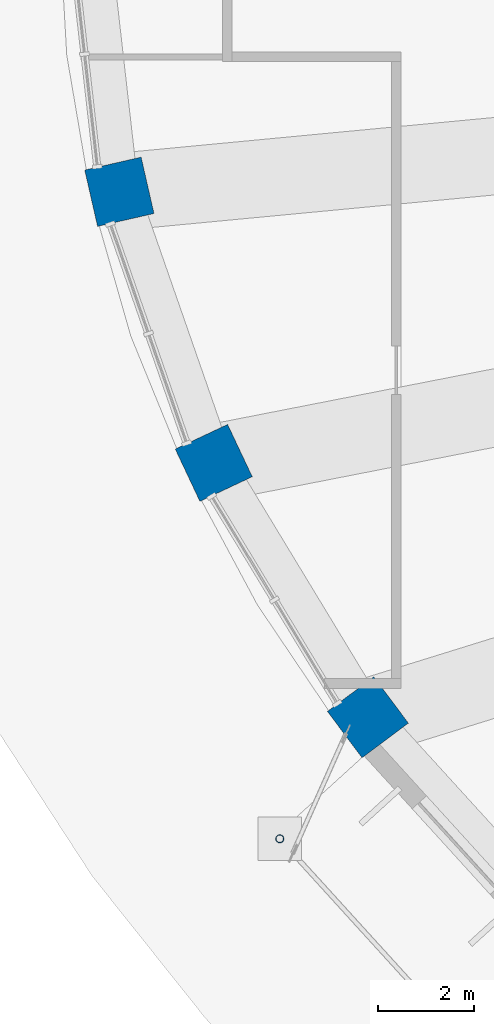
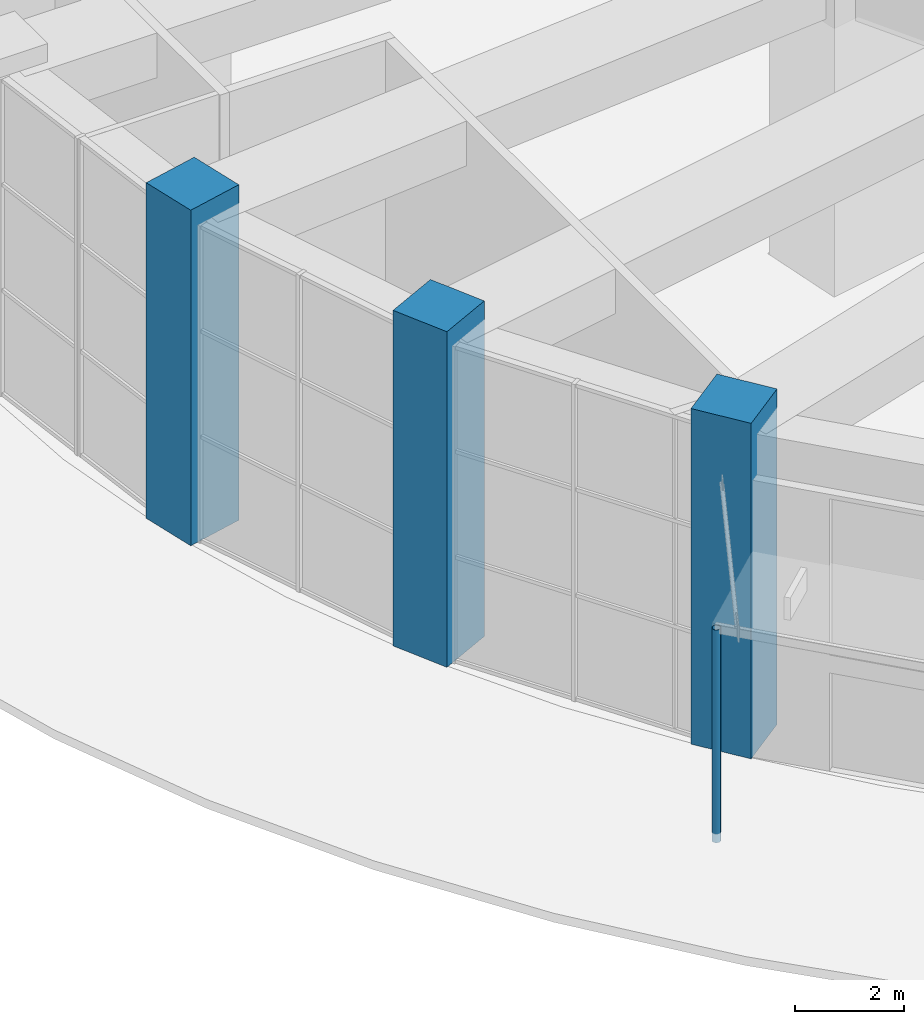
# One storey, part 4 of 60: 4 columns.
"""IFC4 building model written with IfcOpenShell, lengths in metres."""

from ifc_helpers import new_model, si_unit, direction, frame, origin, origin_2d, place, context, subcontext, project, spatial, rectangle, hollow_circle, extrude, material, material_profile, profile_set, type_object, element, save


model = new_model("IFC4")

# Units and contexts
model_context = context("Model", 3, precision=1e-05, world=origin(), true_north=direction((0.0, 1.0)))
body_context = subcontext(model_context, "Body", "Model", "MODEL_VIEW")
ifc_project = project(units=[si_unit("LENGTHUNIT", "METRE"), si_unit("AREAUNIT", "SQUARE_METRE"), si_unit("VOLUMEUNIT", "CUBIC_METRE"), si_unit("PLANEANGLEUNIT", "RADIAN"), si_unit("MASSUNIT", "GRAM", prefix="KILO")], contexts=[model_context])

# Site, building, storey
site_placement = place(None, origin())
site = spatial("IfcSite", under=ifc_project, at=site_placement, CompositionType="ELEMENT")
building_placement = place(site_placement, origin())
building = spatial("IfcBuilding", under=site, at=building_placement, Name="Taillehof Tower", CompositionType="ELEMENT")
storey_placement = place(building_placement, origin())
storey = spatial("IfcBuildingStorey", under=building, at=storey_placement, Name="L00", CompositionType="ELEMENT", Elevation=0.0)

# Columns
ifc_material_1 = material(Name="Steel S460M", Category="steel")
ifc_material_profile_1 = material_profile(ifc_material_1, hollow_circle(Radius=0.084228515625, WallThickness=0.008056640625, at=origin_2d()), Name="CHS 168.3x8")
ifc_profile_set_1 = profile_set([ifc_material_profile_1], Name="Steel S460M")
column_type_1 = type_object("IfcColumnType", Name="Canopy post CHS 168.3x8", PredefinedType="COLUMN", material=ifc_profile_set_1)
column_placement = place(storey_placement, frame((-39.413330078125, -19.220458984375, -0.199951171875), z_axis=(0.0, 0.0, 1.0), x_axis=(1.0, 0.0, 0.0)))
element("IfcColumn", 1, at=column_placement, inside=storey, type_object=column_type_1, Name="Canopy post E3", PredefinedType="COLUMN", context=body_context, shape_type="SweptSolid", body=[
    extrude(hollow_circle(Radius=0.084228515625, WallThickness=0.008056640625, at=origin_2d()), origin(), (0.0, 0.0, 1.0), 4.7548828125),
])
ifc_material_2 = material(Name="Concrete C60/75", Category="concrete")
ifc_material_profile_2 = material_profile(ifc_material_2, rectangle(XDim=1.199951171875, YDim=1.199951171875, at=origin_2d()), Name="RC 1200x1200")
ifc_profile_set_2 = profile_set([ifc_material_profile_2], Name="Concrete C60/75")
column_type_2 = type_object("IfcColumnType", Name="Podium column C60/75 1200x1200", PredefinedType="COLUMN", material=ifc_profile_set_2)
for number, where, z_axis, x_axis, name in (
    (2, (-42.74072265625, -5.7998046875, 0.0), (0.0, 0.0, 1.0), (-0.974939689593, -0.222469327451, 0.0), "Podium column PC20"),
    (3, (-40.78271484375, -11.423583984375, 0.0), (0.0, 0.0, 1.0), (-0.904668034967, -0.426117057284, 0.0), "Podium column PC21"),
    (4, (-37.58544921875, -16.699951171875, 0.0), (0.0, 0.0, 1.0), (-0.80109108527, -0.598542457225, 0.0), "Podium column PC22"),
):
    element("IfcColumn", number, at=place(storey_placement, frame(where, z_axis=z_axis, x_axis=x_axis)), inside=storey, type_object=column_type_2, Name=name, PredefinedType="COLUMN", context=body_context, shape_type="SweptSolid", body=[
        extrude(rectangle(XDim=1.199951171875, YDim=1.199951171875, at=origin_2d()), origin(), (0.0, 0.0, 1.0), 7.5),
    ])

save(model, "model.ifc")
